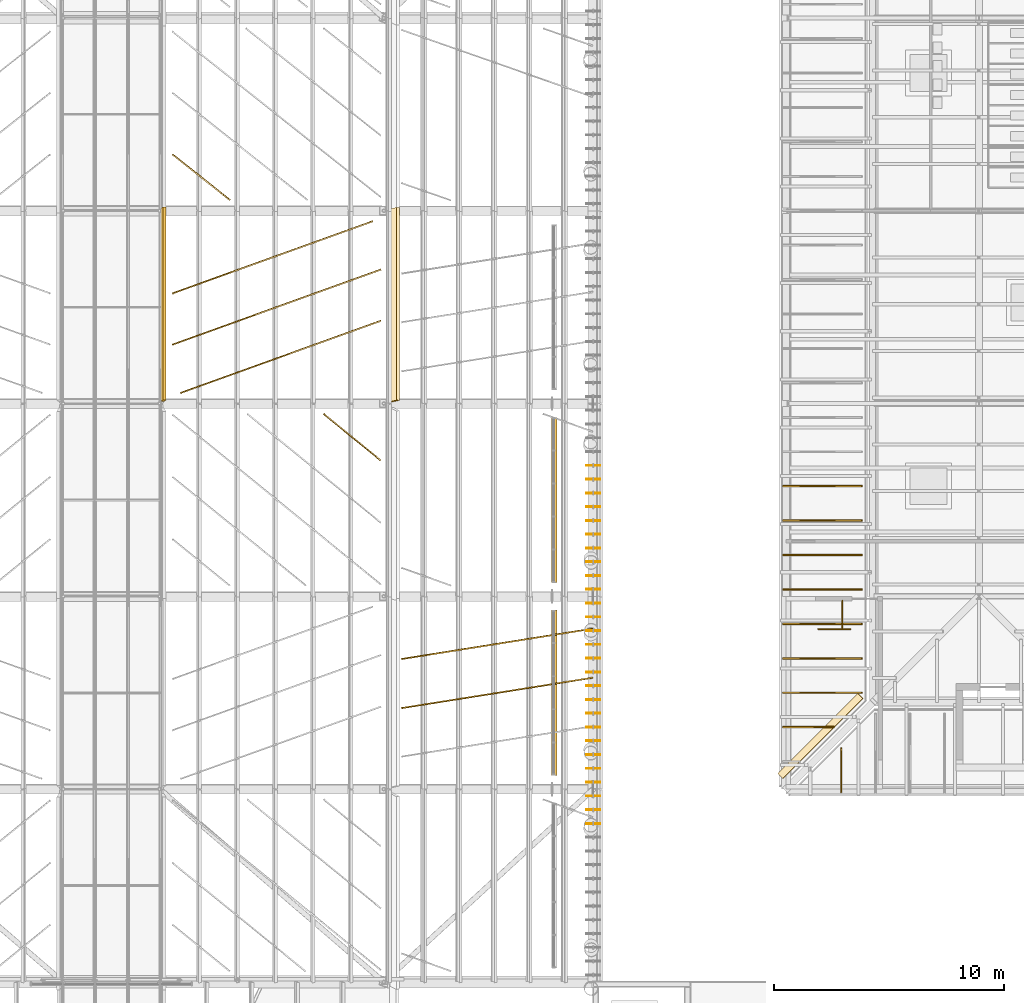
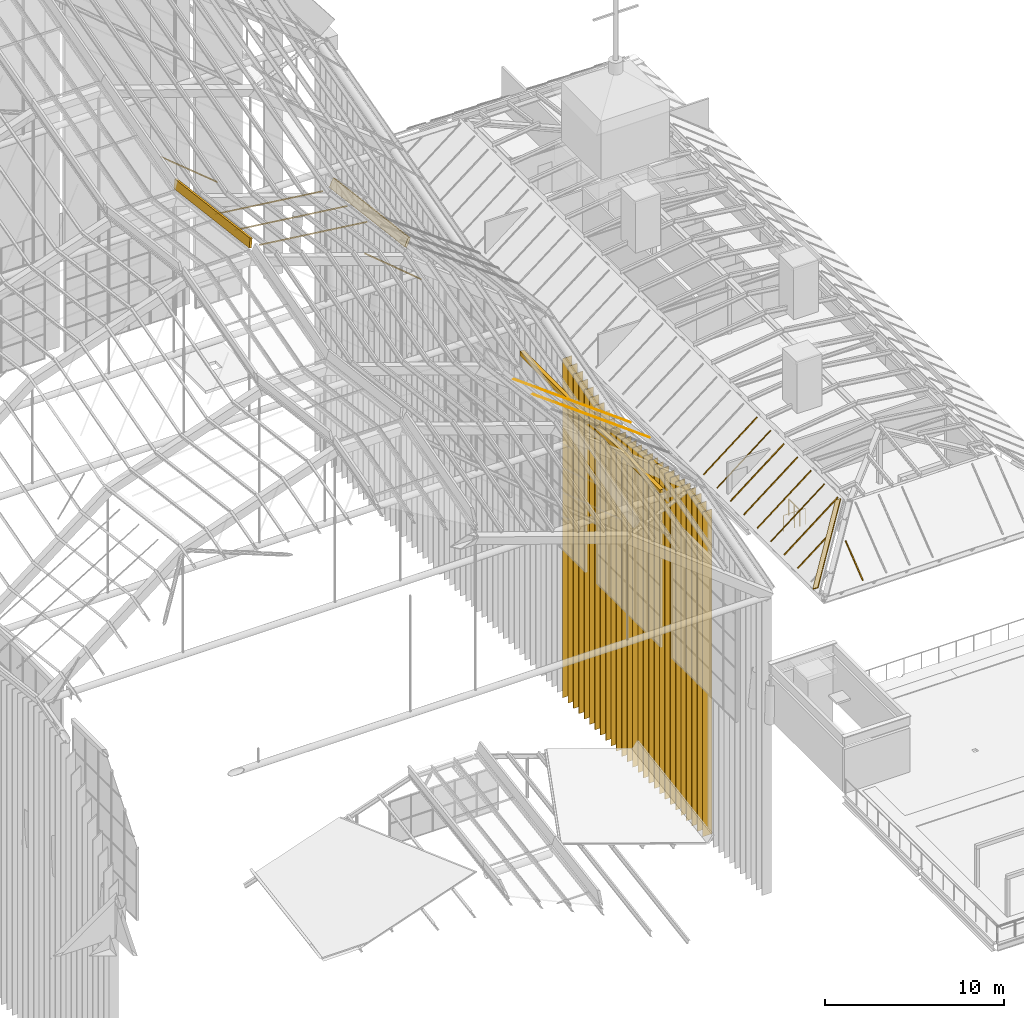
# One storey, part 106 of 126: 27 shading devices, 21 coverings, 2 railings.
"""IFC4 building model written with IfcOpenShell, lengths in metres."""

import ifcopenshell
import ifcopenshell.guid

model = None  # the IFC model being written
_history = None  # IfcOwnerHistory: only IFC2X3 demands one
_inside = {}  # id of a spatial element -> (the spatial element, [elements in it])
_under = {}  # id of a project, library or spatial element -> (it, [spatial elements below it])
_declared = {}  # id of a project -> (the project, [libraries it declares])
_typed = {}  # id of a type object -> (the type object, [elements of that type])
_made_of = {}  # id of a material, layer set ... -> (it, [elements and type objects made of it])


def new_model(schema):
    """Start an empty IFC model of exactly this schema.

    Asked for "IFC4X3", IfcOpenShell would pick the latest addendum, in which some entities
    have other attributes; the version numbers below select the first issue.
    IFC2X3 requires an IfcOwnerHistory on every rooted entity: one is made here for all.
    """
    global model, _history
    if schema == "IFC4X3":
        model = ifcopenshell.file(schema_version=(4, 3, 0, 0))
    else:
        model = ifcopenshell.file(schema=schema)
    _inside.clear()
    _under.clear()
    _declared.clear()
    _typed.clear()
    _made_of.clear()
    _history = None
    if model.schema == "IFC2X3":
        org = make("IfcOrganization", Name="unknown")
        user = make(
            "IfcPersonAndOrganization",
            ThePerson=make("IfcPerson", FamilyName="unknown"),
            TheOrganization=org,
        )
        app = make(
            "IfcApplication",
            ApplicationDeveloper=org,
            Version="unknown",
            ApplicationFullName="unknown",
            ApplicationIdentifier="unknown",
        )
        _history = make(
            "IfcOwnerHistory",
            OwningUser=user,
            OwningApplication=app,
            ChangeAction="ADDED",
            CreationDate=0,
        )
    return model


def make(cls, **values):
    """One entity of the class cls with the attributes given. An attribute that is None is left unset."""
    return model.create_entity(
        cls, **{name: value for name, value in values.items() if value is not None}
    )


def rooted(cls, **values):
    """An entity with a GlobalId (a new one), such as an element, a storey or a relation."""
    return make(cls, GlobalId=ifcopenshell.guid.new(), OwnerHistory=_history, **values)


def si_unit(unit_type, name, prefix=None):
    """IfcSIUnit, for example si_unit("LENGTHUNIT", "METRE", prefix="MILLI")."""
    return make("IfcSIUnit", UnitType=unit_type, Prefix=prefix, Name=name)


def assignment(units):
    """IfcUnitAssignment: the units of a project."""
    return None if units is None else make("IfcUnitAssignment", Units=units)


def point(xyz):
    """IfcCartesianPoint."""
    return None if xyz is None else make("IfcCartesianPoint", Coordinates=xyz)


def direction(xyz):
    """IfcDirection."""
    return None if xyz is None else make("IfcDirection", DirectionRatios=xyz)


def frame(location, z_axis=None, x_axis=None):
    """IfcAxis2Placement3D, a coordinate frame: its origin and axes. An axis left out is left unset."""
    return make(
        "IfcAxis2Placement3D",
        Location=point(location),
        Axis=direction(z_axis),
        RefDirection=direction(x_axis),
    )


def frame_2d(location, x_axis=None):
    """IfcAxis2Placement2D, a coordinate frame in the plane: its origin and x axis."""
    return make(
        "IfcAxis2Placement2D", Location=point(location), RefDirection=direction(x_axis)
    )


def origin():
    """The frame at (0, 0, 0) with its axes left unset."""
    return frame((0.0, 0.0, 0.0))


def origin_2d():
    """The frame at (0, 0) in the plane with its x axis left unset."""
    return frame_2d((0.0, 0.0))


def place(relative_to, where):
    """IfcLocalPlacement: puts the frame where relative to a parent placement (None: the world)."""
    return make(
        "IfcLocalPlacement", PlacementRelTo=relative_to, RelativePlacement=where
    )


def context(
    kind, dimensions, precision=None, world=None, true_north=None, identifier=None
):
    """IfcGeometricRepresentationContext, for example the 3D "Model" context."""
    return make(
        "IfcGeometricRepresentationContext",
        ContextIdentifier=identifier,
        ContextType=kind,
        CoordinateSpaceDimension=dimensions,
        Precision=precision,
        WorldCoordinateSystem=world,
        TrueNorth=true_north,
    )


def subcontext(parent, identifier, kind, view, scale=None):
    """IfcGeometricRepresentationSubContext, for example "Body" below "Model"."""
    return make(
        "IfcGeometricRepresentationSubContext",
        ContextIdentifier=identifier,
        ContextType=kind,
        ParentContext=parent,
        TargetScale=scale,
        TargetView=view,
    )


def project(units=None, contexts=None):
    """IfcProject with its units and contexts."""
    return rooted(
        "IfcProject",
        Name="project",
        RepresentationContexts=contexts,
        UnitsInContext=assignment(units),
    )


def spatial(cls, under=None, at=None, **own):
    """A site, building, storey or space (cls), placed at a placement, below another one or the project."""
    s = rooted(cls, ObjectPlacement=at, **own)
    if under is not None:
        _under.setdefault(under.id(), (under, []))[1].append(s)
    return s


def polyline(points):
    """IfcPolyline through the points."""
    return make("IfcPolyline", Points=[point(p) for p in points])


def profile(cls, at=None, kind="AREA", **sizes):
    """A parametric profile (cls). Its sizes go by their IFC names, for example OverallWidth=200.0."""
    return make(cls, ProfileType=kind, Position=at, **sizes)


def rectangle(**sizes):
    """IfcRectangleProfileDef."""
    return profile("IfcRectangleProfileDef", **sizes)


def circle(**sizes):
    """IfcCircleProfileDef."""
    return profile("IfcCircleProfileDef", **sizes)


def outline(outer, holes=None, kind="AREA"):
    """IfcArbitraryClosedProfileDef: a profile drawn as a closed curve; with holes, ...WithVoids."""
    if holes is None:
        return make("IfcArbitraryClosedProfileDef", ProfileType=kind, OuterCurve=outer)
    return make(
        "IfcArbitraryProfileDefWithVoids",
        ProfileType=kind,
        OuterCurve=outer,
        InnerCurves=holes,
    )


def extrude(swept, where, along, depth):
    """IfcExtrudedAreaSolid: the profile swept, set in the frame where, extruded along a direction by depth."""
    return make(
        "IfcExtrudedAreaSolid",
        SweptArea=swept,
        Position=where,
        ExtrudedDirection=direction(along),
        Depth=depth,
    )


def shape(context_of_items, identifier, shape_type, items):
    """IfcShapeRepresentation: the items that make up one representation, for example the "Body"."""
    return make(
        "IfcShapeRepresentation",
        ContextOfItems=context_of_items,
        RepresentationIdentifier=identifier,
        RepresentationType=shape_type,
        Items=items,
    )


def material(Name=None, Category=None):
    """IfcMaterial."""
    return make("IfcMaterial", Name=Name, Category=Category)


def layer(
    of_material, thickness, ventilated=None, Name=None, Category=None, Priority=None
):
    """IfcMaterialLayer: one layer of a wall or slab, of a material (None: an air gap)."""
    return make(
        "IfcMaterialLayer",
        Material=of_material,
        LayerThickness=thickness,
        IsVentilated=ventilated,
        Name=Name,
        Category=Category,
        Priority=Priority,
    )


def layer_set(layers, Name=None):
    """IfcMaterialLayerSet."""
    return make("IfcMaterialLayerSet", MaterialLayers=layers, LayerSetName=Name)


def material_profile(
    of_material, cross_section, Name=None, Category=None, Priority=None
):
    """IfcMaterialProfile: a cross section and its material."""
    return make(
        "IfcMaterialProfile",
        Name=Name,
        Material=of_material,
        Profile=cross_section,
        Priority=Priority,
        Category=Category,
    )


def profile_set(profiles, Name=None, composite=None):
    """IfcMaterialProfileSet."""
    return make(
        "IfcMaterialProfileSet",
        Name=Name,
        MaterialProfiles=profiles,
        CompositeProfile=composite,
    )


def made_of(thing, what):
    """Note that an element or type object is made of a material, layer set ...; save() writes the relation."""
    if what is not None:
        _made_of.setdefault(what.id(), (what, []))[1].append(thing)
    return thing


def type_object(cls, material=None, **own):
    """A type object (cls), such as IfcWallType, which elements share."""
    return made_of(rooted(cls, **own), material)


def element(
    cls,
    number,
    at=None,
    inside=None,
    cuts=None,
    type_object=None,
    material=None,
    context=None,
    identifier="Body",
    shape_type=None,
    held_by="IfcProductDefinitionShape",
    body=None,
    shapes=None,
    **own,
):
    """One element of the class cls, such as IfcWall. Its Tag is "e" and its number.

    at: its placement. inside: the storey or other place that contains it. cuts: it is an
    opening in that element (IfcRelVoidsElement). A single representation is given by context,
    identifier, shape_type and body (its items); several are given by shapes. held_by: the class
    of the entity that holds the representations. save() writes the other relations.
    """
    e = rooted(cls, Tag="e%d" % number, ObjectPlacement=at, **own)
    if body is not None:
        shapes = [shape(context, identifier, shape_type, body)]
    if shapes is not None:
        e.Representation = make(held_by, Representations=shapes)
    if inside is not None:
        _inside.setdefault(inside.id(), (inside, []))[1].append(e)
    if cuts is not None:
        rooted(
            "IfcRelVoidsElement", RelatingBuildingElement=cuts, RelatedOpeningElement=e
        )
    if type_object is not None:
        _typed.setdefault(type_object.id(), (type_object, []))[1].append(e)
    return made_of(e, material)


def aggregate(whole, parts):
    """IfcRelAggregates: a whole, such as a stair, and the parts it consists of."""
    return rooted("IfcRelAggregates", RelatingObject=whole, RelatedObjects=parts)


def save(model, path):
    """Write the relations noted so far, then the file.

    IfcRelAggregates (storeys below a building ...), IfcRelContainedInSpatialStructure (elements
    in a storey), IfcRelDefinesByType, IfcRelAssociatesMaterial and IfcRelDeclares: one each for
    every whole, place, type object, material and project.
    """
    for whole, parts in _under.values():
        aggregate(whole, parts)
    for where, things in _inside.values():
        rooted(
            "IfcRelContainedInSpatialStructure",
            RelatedElements=things,
            RelatingStructure=where,
        )
    for kind, things in _typed.values():
        rooted("IfcRelDefinesByType", RelatedObjects=things, RelatingType=kind)
    for what, things in _made_of.values():
        rooted("IfcRelAssociatesMaterial", RelatedObjects=things, RelatingMaterial=what)
    for by, libraries in _declared.values():
        rooted("IfcRelDeclares", RelatingContext=by, RelatedDefinitions=libraries)
    model.write(path)


model = new_model("IFC4")

# Units and contexts
model_context = context("Model", 3, precision=1e-05, world=origin(), true_north=direction((0.0, 1.0)))
body_context = subcontext(model_context, "Body", "Model", "MODEL_VIEW")
ifc_project = project(units=[si_unit("LENGTHUNIT", "METRE"), si_unit("AREAUNIT", "SQUARE_METRE"), si_unit("VOLUMEUNIT", "CUBIC_METRE"), si_unit("PLANEANGLEUNIT", "RADIAN"), si_unit("MASSUNIT", "GRAM", prefix="KILO")], contexts=[model_context])

# Site, building, storey
site_placement = place(None, origin())
site = spatial("IfcSite", under=ifc_project, at=site_placement, CompositionType="ELEMENT")
building_placement = place(site_placement, origin())
building = spatial("IfcBuilding", under=site, at=building_placement, Name="Sava Quay Ferry Terminal", CompositionType="ELEMENT")
storey_placement = place(building_placement, frame((0.0, 0.0, 15.0)))
storey = spatial("IfcBuildingStorey", under=building, at=storey_placement, Name="L03", CompositionType="ELEMENT", Elevation=15.0)

# Coverings
ifc_material_1 = material(Name="Copper patinated")
ifc_layer_1 = layer(ifc_material_1, 0.25)
ifc_layer_set_1 = layer_set([ifc_layer_1], Name="Copper patinated")
covering_type_1 = type_object("IfcCoveringType", Name="Copper spandrel panel 250", PredefinedType="CLADDING", material=ifc_layer_set_1)
covering_1_placement = place(storey_placement, frame((82.300048828125, 59.39990234375, 10.39990234375), z_axis=(0.0, 0.0, 1.0), x_axis=(0.0, 1.0, 0.0)))
element("IfcCovering", 1, at=covering_1_placement, inside=storey, type_object=covering_type_1, Name="Spandrel panel D-E", PredefinedType="CLADDING", context=body_context, shape_type="SweptSolid", body=[
    extrude(outline(polyline([(0.0, 0.0), (7.2001953125, 0.0), (7.199951171875, 0.337890625), (0.0, 0.337890625), (0.0, 0.0)])), frame((0.0, 0.125, 0.0), z_axis=(0.0, -1.0, 0.0), x_axis=(1.0, 0.0, 0.0)), (0.0, 0.0, 1.0), 0.25),
])
covering_2_placement = place(storey_placement, frame((82.300048828125, 67.800048828125, 10.39990234375), z_axis=(0.0, 0.0, 1.0), x_axis=(0.0, 1.0, 0.0)))
element("IfcCovering", 2, at=covering_2_placement, inside=storey, type_object=covering_type_1, Name="Spandrel panel D-E", PredefinedType="CLADDING", context=body_context, shape_type="SweptSolid", body=[
    extrude(outline(polyline([(0.0, 0.0), (7.199951171875, 0.0), (7.199951171875, 0.33056640625), (0.0, 0.33056640625), (0.0, 0.0)])), frame((0.0, 0.125, 0.0), z_axis=(0.0, -1.0, 0.0), x_axis=(1.0, 0.0, 0.0)), (0.0, 0.0, 1.0), 0.25),
])
ifc_material_2 = material(Name="Steel S355", Category="steel")
ifc_material_profile_1 = material_profile(ifc_material_2, rectangle(XDim=0.14990234375, YDim=0.60009765625, at=origin_2d()), Name="Cap 150 x 600")
ifc_profile_set_1 = profile_set([ifc_material_profile_1], Name="Steel S355")
covering_type_2 = type_object("IfcCoveringType", Name="Crease capping 150x600", PredefinedType="MOLDING", material=ifc_profile_set_1)
covering_3_placement = place(storey_placement, frame((65.266845703125, 75.7236328125, 23.564453125), z_axis=(0.0, 0.992393702798, -0.123104584187), x_axis=(-0.986478304019, 0.020175844507, 0.162645291964)))
element("IfcCovering", 3, at=covering_3_placement, inside=storey, type_object=covering_type_2, Name="Departure hall crease capping bay 4 crease 3", PredefinedType="MOLDING", context=body_context, shape_type="SweptSolid", body=[
    extrude(rectangle(XDim=0.14990234375, YDim=0.60009765625, at=origin_2d()), origin(), (0.0, 0.0, 1.0), 8.46435546875),
])
covering_4_placement = place(storey_placement, frame((75.352783203125, 75.710205078125, 20.093017578125), z_axis=(0.0, 0.992394139896, -0.123101060513), x_axis=(-0.880255099686, 0.058411545244, 0.470891761299)))
element("IfcCovering", 4, at=covering_4_placement, inside=storey, type_object=covering_type_2, Name="Departure hall crease capping bay 4 crease 4", PredefinedType="MOLDING", context=body_context, shape_type="SweptSolid", body=[
    extrude(rectangle(XDim=0.14990234375, YDim=0.60009765625, at=origin_2d()), origin(), (0.0, 0.0, 1.0), 8.464599609375),
])

# Railings
ifc_material_3 = material(Name="Steel S355", Category="steel")
railing_type = type_object("IfcRailingType", Name="Guard 1100", PredefinedType="GUARDRAIL", material=ifc_material_3)
railing_1_placement = place(storey_placement, frame((94.85009765625, 65.77001953125, 0.0)))
element("IfcRailing", 5, at=railing_1_placement, inside=storey, type_object=railing_type, Name="Guard at stair well ST-O1 L03", PredefinedType="GUARDRAIL", context=body_context, shape_type="SweptSolid", body=[
    extrude(circle(Radius=0.02392578125, at=origin_2d()), frame((0.0, 0.0, 1.076171875), z_axis=(0.0, 1.0, 0.0), x_axis=(-1.0, 0.0, 0.0)), (0.0, 0.0, 1.0), 1.22998046875),
    extrude(circle(Radius=0.02099609375, at=origin_2d()), origin(), (0.0, 0.0, 1.0), 1.052001953125),
    extrude(circle(Radius=0.02099609375, at=origin_2d()), frame((0.0, 0.614990234375, 0.0)), (0.0, 0.0, 1.0), 1.052001953125),
    extrude(circle(Radius=0.02099609375, at=origin_2d()), frame((0.0, 1.22998046875, 0.0)), (0.0, 0.0, 1.0), 1.052001953125),
])
railing_2_placement = place(storey_placement, frame((93.800048828125, 65.77001953125, 0.0)))
element("IfcRailing", 6, at=railing_2_placement, inside=storey, type_object=railing_type, Name="Guard at stair well ST-O1 L03", PredefinedType="GUARDRAIL", context=body_context, shape_type="SweptSolid", body=[
    extrude(circle(Radius=0.02392578125, at=origin_2d()), frame((0.0, 0.0, 1.076171875), z_axis=(1.0, 0.0, 0.0), x_axis=(0.0, 1.0, 0.0)), (0.0, 0.0, 1.0), 1.39990234375),
    extrude(circle(Radius=0.02099609375, at=origin_2d()), origin(), (0.0, 0.0, 1.0), 1.052001953125),
    extrude(circle(Radius=0.02099609375, at=origin_2d()), frame((0.699951171875, 0.0, 0.0)), (0.0, 0.0, 1.0), 1.052001953125),
    extrude(circle(Radius=0.02099609375, at=origin_2d()), frame((1.39990234375, 0.0, 0.0)), (0.0, 0.0, 1.0), 1.052001953125),
])

# Coverings
ifc_material_4 = material(Name="Zinc standing seam")
ifc_layer_2 = layer(ifc_material_4, 0.06005859375)
ifc_layer_set_2 = layer_set([ifc_layer_2], Name="Zinc standing seam")
covering_type_3 = type_object("IfcCoveringType", Name="Roof ridge roll 300", PredefinedType="ROOFING", material=ifc_layer_set_2)
covering_5_placement = place(storey_placement, frame((95.72998046875, 62.74853515625, 3.3984375), z_axis=(-0.617869275287, 0.000116627127, 0.786280830909), x_axis=(-0.618124406362, -0.618124404798, -0.485638176478)))
element("IfcCovering", 7, at=covering_5_placement, inside=storey, type_object=covering_type_3, Name="Hip roll", PredefinedType="ROOFING", context=body_context, shape_type="SweptSolid", body=[
    extrude(outline(polyline([(0.0, 0.0), (5.625953344513379, -4.440892098500626e-16), (5.706781652982323, -0.33376272181056765), (0.08097921774745892, -0.33357080767971015), (0.0, 0.0)])), origin(), (0.0, 0.0, -1.0), 0.06005859375),
])
ifc_material_5 = material(Name="Zinc standing seam")
ifc_layer_3 = layer(ifc_material_5, 0.0400390625)
ifc_layer_set_3 = layer_set([ifc_layer_3], Name="Zinc standing seam")
covering_type_4 = type_object("IfcCoveringType", Name="Roof seam rib 60", PredefinedType="ROOFING", material=ifc_layer_set_3)
covering_6_placement = place(storey_placement, frame((94.77001953125, 58.646484375, 0.635986328125), z_axis=(0.0, -0.617834697538, 0.786308009954), x_axis=(0.0, 0.786308009954, 0.617834697538)))
element("IfcCovering", 8, at=covering_6_placement, inside=storey, type_object=covering_type_4, Name="Roof seam rib", PredefinedType="ROOFING", context=body_context, shape_type="SweptSolid", body=[
    extrude(outline(polyline([(0.0, 0.0), (2.460631748158235, 0.0), (2.460631748158235, -0.06005859375), (0.0, -0.06005859375), (0.0, 0.0)])), origin(), (0.0, 0.0, -1.0), 0.0400390625),
])
covering_7_placement = place(storey_placement, frame((92.246337890625, 61.530029296875, 0.635986328125), z_axis=(-0.617810172057, 0.0, 0.78632728002), x_axis=(0.78632728002, 0.0, 0.617810172057)))
element("IfcCovering", 9, at=covering_7_placement, inside=storey, type_object=covering_type_4, Name="Roof seam rib", PredefinedType="ROOFING", context=body_context, shape_type="SweptSolid", body=[
    extrude(outline(polyline([(0.0, 0.0), (2.8424645547325995, 0.0), (2.8424645547325995, -0.06005859375), (0.0, -0.06005859375), (0.0, 0.0)])), origin(), (0.0, 0.0, -1.0), 0.0400390625),
])
for number, where, z_axis, x_axis, name in (
    (10, (92.246337890625, 63.030029296875, 0.635986328125), (-0.6177895076, 0.0, 0.786343515456), (0.786343515456, 0.0, 0.6177895076), "Roof seam rib"),
    (11, (92.246337890625, 64.530029296875, 0.635986328125), (-0.6177895076, 0.0, 0.786343515456), (0.786343515456, 0.0, 0.6177895076), "Roof seam rib"),
    (12, (92.246337890625, 66.030029296875, 0.635986328125), (-0.6177895076, 0.0, 0.786343515456), (0.786343515456, 0.0, 0.6177895076), "Roof seam rib"),
    (13, (92.246337890625, 67.530029296875, 0.635986328125), (-0.6177895076, 0.0, 0.786343515456), (0.786343515456, 0.0, 0.6177895076), "Roof seam rib"),
    (14, (92.246337890625, 69.030029296875, 0.635986328125), (-0.6177895076, 0.0, 0.786343515456), (0.786343515456, 0.0, 0.6177895076), "Roof seam rib"),
    (15, (92.246337890625, 70.530029296875, 0.635986328125), (-0.6177895076, 0.0, 0.786343515456), (0.786343515456, 0.0, 0.6177895076), "Roof seam rib"),
    (16, (92.246337890625, 72.030029296875, 0.635986328125), (-0.6177895076, 0.0, 0.786343515456), (0.786343515456, 0.0, 0.6177895076), "Roof seam rib"),
):
    element("IfcCovering", number, at=place(storey_placement, frame(where, z_axis=z_axis, x_axis=x_axis)), inside=storey, type_object=covering_type_4, Name=name, PredefinedType="ROOFING", context=body_context, shape_type="SweptSolid", body=[
        extrude(outline(polyline([(0.0, 0.0), (4.374293420136924, 0.0), (4.374293420136924, -0.06005859375), (0.0, -0.06005859375), (0.0, 0.0)])), origin(), (0.0, 0.0, -1.0), 0.0400390625),
    ])
covering_8_placement = place(storey_placement, frame((83.98193359375, 65.7568359375, 10.86376953125), z_axis=(0.612775414505, 0.097085816701, 0.784270766747), x_axis=(-0.774550534111, -0.123094106771, 0.620418657832)))
element("IfcCovering", 17, at=covering_8_placement, inside=storey, type_object=covering_type_4, Name="Roof seam rib", PredefinedType="ROOFING", context=body_context, shape_type="SweptSolid", body=[
    extrude(outline(polyline([(0.0, 0.0), (10.725982522270455, -6.028164079019405e-17), (10.72586559169207, -0.06004701914620953), (7.216867310742749e-05, -0.06008529379503568), (0.0, 0.0)])), origin(), (0.0, 0.0, -1.0), 0.0400390625),
])
covering_9_placement = place(storey_placement, frame((83.98193359375, 63.630615234375, 11.127685546875), z_axis=(0.612713252648, 0.097477108376, 0.78427079722), x_axis=(-0.774550534978, -0.123094104111, 0.620418657278)))
element("IfcCovering", 18, at=covering_9_placement, inside=storey, type_object=covering_type_4, Name="Roof seam rib", PredefinedType="ROOFING", context=body_context, shape_type="SweptSolid", body=[
    extrude(outline(polyline([(0.0, 0.0), (10.725982522270506, 1.9081958235744878e-17), (10.725895644129476, -0.059805872468455125), (0.00010222111067304581, -0.05984420638638923), (0.0, 0.0)])), origin(), (0.0, 0.0, -1.0), 0.0400390625),
])
covering_10_placement = place(storey_placement, frame((74.725341796875, 73.09912109375, 19.372802734375), z_axis=(0.314884504303, -0.256205239722, 0.913896396803), x_axis=(-0.708451551005, 0.577324088497, 0.405947406347)))
element("IfcCovering", 19, at=covering_10_placement, inside=storey, type_object=covering_type_4, Name="Roof seam rib", PredefinedType="ROOFING", context=body_context, shape_type="SweptSolid", body=[
    extrude(outline(polyline([(0.0, 0.0), (3.494720171963462, 2.0686577451023425e-16), (3.494832210659092, -0.060053518681101994), (-2.8909568163364152e-05, -0.05986424185795931), (0.0, 0.0)])), origin(), (0.0, 0.0, -1.0), 0.0400390625),
])
covering_11_placement = place(storey_placement, frame((74.410400390625, 83.51171875, 19.1796875), z_axis=(0.323447879804, 0.116217203566, 0.939082014866), x_axis=(-0.883503003361, -0.318272752001, 0.343693029296)))
element("IfcCovering", 20, at=covering_11_placement, inside=storey, type_object=covering_type_4, Name="Roof seam rib", PredefinedType="ROOFING", context=body_context, shape_type="SweptSolid", body=[
    extrude(outline(polyline([(0.0, 0.0), (9.873085159242624, -1.7683337433238577e-16), (9.873038709918072, -0.0599264356538713), (-4.6449324553082816e-05, -0.059926435653870944), (0.0, 0.0)])), origin(), (0.0, 0.0, -1.0), 0.0400390625),
])
covering_12_placement = place(storey_placement, frame((74.76220703125, 81.406494140625, 19.319580078125), z_axis=(0.323454258751, 0.116219495569, 0.939079534089), x_axis=(-0.883493889663, -0.318290736521, 0.343699802113)))
element("IfcCovering", 21, at=covering_12_placement, inside=storey, type_object=covering_type_4, Name="Roof seam rib", PredefinedType="ROOFING", context=body_context, shape_type="SweptSolid", body=[
    extrude(outline(polyline([(0.0, 0.0), (10.271386296409156, -4.550396517921662e-16), (10.271338648143955, -0.0599264347125721), (-4.7648265202704376e-05, -0.05992643471257162), (0.0, 0.0)])), origin(), (0.0, 0.0, -1.0), 0.0400390625),
])
covering_13_placement = place(storey_placement, frame((74.76220703125, 79.17431640625, 19.596435546875), z_axis=(0.323465862055, 0.116223664721, 0.939075021414), x_axis=(-0.883488541096, -0.318292269613, 0.343712130797)))
element("IfcCovering", 22, at=covering_13_placement, inside=storey, type_object=covering_type_4, Name="Roof seam rib", PredefinedType="ROOFING", context=body_context, shape_type="SweptSolid", body=[
    extrude(outline(polyline([(0.0, 0.0), (9.873246776696483, -2.3310346708438345e-17), (9.873198933588688, -0.05992643455733273), (-4.784310779710685e-05, -0.059926434557333055), (0.0, 0.0)])), origin(), (0.0, 0.0, -1.0), 0.0400390625),
])
covering_14_placement = place(storey_placement, frame((68.146484375, 84.4365234375, 21.416015625), z_axis=(0.31515429108, -0.250486267716, 0.915387569557), x_axis=(-0.716726159676, 0.569419019872, 0.402573709827)))
element("IfcCovering", 23, at=covering_14_placement, inside=storey, type_object=covering_type_4, Name="Roof seam rib", PredefinedType="ROOFING", context=body_context, shape_type="SweptSolid", body=[
    extrude(outline(polyline([(0.0, 0.0), (3.475492556952352, -3.3911133449915365e-16), (3.4755508500199452, -0.06012897978308696), (-8.072524780569981e-05, -0.05993782864796164), (0.0, 0.0)])), origin(), (0.0, 0.0, -1.0), 0.0400390625),
])

# Shading devices
ifc_material_6 = material(Name="Aluminium bronze anodised", Category="aluminium")
ifc_material_profile_2 = material_profile(ifc_material_6, rectangle(XDim=0.0400390625, YDim=0.60009765625, at=origin_2d()), Name="Vertical brise-soleil blade 40x600")
ifc_profile_set_2 = profile_set([ifc_material_profile_2], Name="Aluminium bronze anodised")
shading_device_type = type_object("IfcShadingDeviceType", Name="Vertical brise-soleil blade 40x600", PredefinedType="USERDEFINED", material=ifc_profile_set_2)
shading_device_1_placement = place(storey_placement, frame((84.0, 57.300048828125, -12.10009765625), z_axis=(0.0, 0.0, 1.0), x_axis=(0.0, 1.0, 0.0)))
element("IfcShadingDevice", 24, at=shading_device_1_placement, inside=storey, type_object=shading_device_type, Name="Brise-soleil blade D-E 12", ObjectType="BRISE-SOLEIL BLADE", PredefinedType="USERDEFINED", context=body_context, shape_type="SweptSolid", body=[
    extrude(rectangle(XDim=0.0400390625, YDim=0.60009765625, at=origin_2d()), origin(), (0.0, 0.0, 1.0), 22.087646484375),
])
shading_device_2_placement = place(storey_placement, frame((84.0, 57.89990234375, -12.10009765625), z_axis=(0.0, 0.0, 1.0), x_axis=(0.0, 1.0, 0.0)))
element("IfcShadingDevice", 25, at=shading_device_2_placement, inside=storey, type_object=shading_device_type, Name="Brise-soleil blade D-E 13", ObjectType="BRISE-SOLEIL BLADE", PredefinedType="USERDEFINED", context=body_context, shape_type="SweptSolid", body=[
    extrude(rectangle(XDim=0.0400390625, YDim=0.60009765625, at=origin_2d()), origin(), (0.0, 0.0, 1.0), 22.256103515625),
])
shading_device_3_placement = place(storey_placement, frame((84.0, 58.5, -12.10009765625), z_axis=(0.0, 0.0, 1.0), x_axis=(0.0, 1.0, 0.0)))
element("IfcShadingDevice", 26, at=shading_device_3_placement, inside=storey, type_object=shading_device_type, Name="Brise-soleil blade D-E 14", ObjectType="BRISE-SOLEIL BLADE", PredefinedType="USERDEFINED", context=body_context, shape_type="SweptSolid", body=[
    extrude(rectangle(XDim=0.0400390625, YDim=0.60009765625, at=origin_2d()), origin(), (0.0, 0.0, 1.0), 22.42431640625),
])
shading_device_4_placement = place(storey_placement, frame((84.0, 59.10009765625, -12.10009765625), z_axis=(0.0, 0.0, 1.0), x_axis=(0.0, 1.0, 0.0)))
element("IfcShadingDevice", 27, at=shading_device_4_placement, inside=storey, type_object=shading_device_type, Name="Brise-soleil blade D-E 15", ObjectType="BRISE-SOLEIL BLADE", PredefinedType="USERDEFINED", context=body_context, shape_type="SweptSolid", body=[
    extrude(rectangle(XDim=0.0400390625, YDim=0.60009765625, at=origin_2d()), origin(), (0.0, 0.0, 1.0), 22.471435546875),
])
shading_device_5_placement = place(storey_placement, frame((84.0, 59.699951171875, -12.10009765625), z_axis=(0.0, 0.0, 1.0), x_axis=(0.0, 1.0, 0.0)))
element("IfcShadingDevice", 28, at=shading_device_5_placement, inside=storey, type_object=shading_device_type, Name="Brise-soleil blade D-E 16", ObjectType="BRISE-SOLEIL BLADE", PredefinedType="USERDEFINED", context=body_context, shape_type="SweptSolid", body=[
    extrude(rectangle(XDim=0.0400390625, YDim=0.60009765625, at=origin_2d()), origin(), (0.0, 0.0, 1.0), 22.396728515625),
])
shading_device_6_placement = place(storey_placement, frame((84.0, 60.300048828125, -12.10009765625), z_axis=(0.0, 0.0, 1.0), x_axis=(0.0, 1.0, 0.0)))
element("IfcShadingDevice", 29, at=shading_device_6_placement, inside=storey, type_object=shading_device_type, Name="Brise-soleil blade D-E 17", ObjectType="BRISE-SOLEIL BLADE", PredefinedType="USERDEFINED", context=body_context, shape_type="SweptSolid", body=[
    extrude(rectangle(XDim=0.0400390625, YDim=0.60009765625, at=origin_2d()), origin(), (0.0, 0.0, 1.0), 22.322265625),
])
shading_device_7_placement = place(storey_placement, frame((84.0, 60.89990234375, -12.10009765625), z_axis=(0.0, 0.0, 1.0), x_axis=(0.0, 1.0, 0.0)))
element("IfcShadingDevice", 30, at=shading_device_7_placement, inside=storey, type_object=shading_device_type, Name="Brise-soleil blade D-E 18", ObjectType="BRISE-SOLEIL BLADE", PredefinedType="USERDEFINED", context=body_context, shape_type="SweptSolid", body=[
    extrude(rectangle(XDim=0.0400390625, YDim=0.60009765625, at=origin_2d()), origin(), (0.0, 0.0, 1.0), 22.247802734375),
])
shading_device_8_placement = place(storey_placement, frame((84.0, 61.5, -12.10009765625), z_axis=(0.0, 0.0, 1.0), x_axis=(0.0, 1.0, 0.0)))
element("IfcShadingDevice", 31, at=shading_device_8_placement, inside=storey, type_object=shading_device_type, Name="Brise-soleil blade D-E 19", ObjectType="BRISE-SOLEIL BLADE", PredefinedType="USERDEFINED", context=body_context, shape_type="SweptSolid", body=[
    extrude(rectangle(XDim=0.0400390625, YDim=0.60009765625, at=origin_2d()), origin(), (0.0, 0.0, 1.0), 22.17333984375),
])
shading_device_9_placement = place(storey_placement, frame((84.0, 62.10009765625, -12.10009765625), z_axis=(0.0, 0.0, 1.0), x_axis=(0.0, 1.0, 0.0)))
element("IfcShadingDevice", 32, at=shading_device_9_placement, inside=storey, type_object=shading_device_type, Name="Brise-soleil blade D-E 20", ObjectType="BRISE-SOLEIL BLADE", PredefinedType="USERDEFINED", context=body_context, shape_type="SweptSolid", body=[
    extrude(rectangle(XDim=0.0400390625, YDim=0.60009765625, at=origin_2d()), origin(), (0.0, 0.0, 1.0), 22.098876953125),
])
shading_device_10_placement = place(storey_placement, frame((84.0, 62.699951171875, -12.10009765625), z_axis=(0.0, 0.0, 1.0), x_axis=(0.0, 1.0, 0.0)))
element("IfcShadingDevice", 33, at=shading_device_10_placement, inside=storey, type_object=shading_device_type, Name="Brise-soleil blade D-E 21", ObjectType="BRISE-SOLEIL BLADE", PredefinedType="USERDEFINED", context=body_context, shape_type="SweptSolid", body=[
    extrude(rectangle(XDim=0.0400390625, YDim=0.60009765625, at=origin_2d()), origin(), (0.0, 0.0, 1.0), 22.0244140625),
])
shading_device_11_placement = place(storey_placement, frame((84.0, 63.300048828125, -12.10009765625), z_axis=(0.0, 0.0, 1.0), x_axis=(0.0, 1.0, 0.0)))
element("IfcShadingDevice", 34, at=shading_device_11_placement, inside=storey, type_object=shading_device_type, Name="Brise-soleil blade D-E 22", ObjectType="BRISE-SOLEIL BLADE", PredefinedType="USERDEFINED", context=body_context, shape_type="SweptSolid", body=[
    extrude(rectangle(XDim=0.0400390625, YDim=0.60009765625, at=origin_2d()), origin(), (0.0, 0.0, 1.0), 21.949951171875),
])
shading_device_12_placement = place(storey_placement, frame((84.0, 63.89990234375, -12.10009765625), z_axis=(0.0, 0.0, 1.0), x_axis=(0.0, 1.0, 0.0)))
element("IfcShadingDevice", 35, at=shading_device_12_placement, inside=storey, type_object=shading_device_type, Name="Brise-soleil blade D-E 23", ObjectType="BRISE-SOLEIL BLADE", PredefinedType="USERDEFINED", context=body_context, shape_type="SweptSolid", body=[
    extrude(rectangle(XDim=0.0400390625, YDim=0.60009765625, at=origin_2d()), origin(), (0.0, 0.0, 1.0), 21.875244140625),
])
shading_device_13_placement = place(storey_placement, frame((84.0, 64.5, -12.10009765625), z_axis=(0.0, 0.0, 1.0), x_axis=(0.0, 1.0, 0.0)))
element("IfcShadingDevice", 36, at=shading_device_13_placement, inside=storey, type_object=shading_device_type, Name="Brise-soleil blade D-E 24", ObjectType="BRISE-SOLEIL BLADE", PredefinedType="USERDEFINED", context=body_context, shape_type="SweptSolid", body=[
    extrude(rectangle(XDim=0.0400390625, YDim=0.60009765625, at=origin_2d()), origin(), (0.0, 0.0, 1.0), 21.80078125),
])
shading_device_14_placement = place(storey_placement, frame((84.0, 65.10009765625, -12.10009765625), z_axis=(0.0, 0.0, 1.0), x_axis=(0.0, 1.0, 0.0)))
element("IfcShadingDevice", 37, at=shading_device_14_placement, inside=storey, type_object=shading_device_type, Name="Brise-soleil blade D-E 25", ObjectType="BRISE-SOLEIL BLADE", PredefinedType="USERDEFINED", context=body_context, shape_type="SweptSolid", body=[
    extrude(rectangle(XDim=0.0400390625, YDim=0.60009765625, at=origin_2d()), origin(), (0.0, 0.0, 1.0), 21.726318359375),
])
shading_device_15_placement = place(storey_placement, frame((84.0, 65.699951171875, -12.10009765625), z_axis=(0.0, 0.0, 1.0), x_axis=(0.0, 1.0, 0.0)))
element("IfcShadingDevice", 38, at=shading_device_15_placement, inside=storey, type_object=shading_device_type, Name="Brise-soleil blade D-E 26", ObjectType="BRISE-SOLEIL BLADE", PredefinedType="USERDEFINED", context=body_context, shape_type="SweptSolid", body=[
    extrude(rectangle(XDim=0.0400390625, YDim=0.60009765625, at=origin_2d()), origin(), (0.0, 0.0, 1.0), 21.65185546875),
])
shading_device_16_placement = place(storey_placement, frame((84.0, 66.300048828125, -12.10009765625), z_axis=(0.0, 0.0, 1.0), x_axis=(0.0, 1.0, 0.0)))
element("IfcShadingDevice", 39, at=shading_device_16_placement, inside=storey, type_object=shading_device_type, Name="Brise-soleil blade D-E 27", ObjectType="BRISE-SOLEIL BLADE", PredefinedType="USERDEFINED", context=body_context, shape_type="SweptSolid", body=[
    extrude(rectangle(XDim=0.0400390625, YDim=0.60009765625, at=origin_2d()), origin(), (0.0, 0.0, 1.0), 21.577392578125),
])
shading_device_17_placement = place(storey_placement, frame((84.0, 66.89990234375, -12.10009765625), z_axis=(0.0, 0.0, 1.0), x_axis=(0.0, 1.0, 0.0)))
element("IfcShadingDevice", 40, at=shading_device_17_placement, inside=storey, type_object=shading_device_type, Name="Brise-soleil blade D-E 28", ObjectType="BRISE-SOLEIL BLADE", PredefinedType="USERDEFINED", context=body_context, shape_type="SweptSolid", body=[
    extrude(rectangle(XDim=0.0400390625, YDim=0.60009765625, at=origin_2d()), origin(), (0.0, 0.0, 1.0), 21.5029296875),
])
shading_device_18_placement = place(storey_placement, frame((84.0, 67.5, -12.10009765625), z_axis=(0.0, 0.0, 1.0), x_axis=(0.0, 1.0, 0.0)))
element("IfcShadingDevice", 41, at=shading_device_18_placement, inside=storey, type_object=shading_device_type, Name="Brise-soleil blade D-E 29", ObjectType="BRISE-SOLEIL BLADE", PredefinedType="USERDEFINED", context=body_context, shape_type="SweptSolid", body=[
    extrude(rectangle(XDim=0.0400390625, YDim=0.60009765625, at=origin_2d()), origin(), (0.0, 0.0, 1.0), 21.5498046875),
])
shading_device_19_placement = place(storey_placement, frame((84.0, 68.10009765625, -12.10009765625), z_axis=(0.0, 0.0, 1.0), x_axis=(0.0, 1.0, 0.0)))
element("IfcShadingDevice", 42, at=shading_device_19_placement, inside=storey, type_object=shading_device_type, Name="Brise-soleil blade D-E 30", ObjectType="BRISE-SOLEIL BLADE", PredefinedType="USERDEFINED", context=body_context, shape_type="SweptSolid", body=[
    extrude(rectangle(XDim=0.0400390625, YDim=0.60009765625, at=origin_2d()), origin(), (0.0, 0.0, 1.0), 21.718017578125),
])
shading_device_20_placement = place(storey_placement, frame((84.0, 68.699951171875, -12.10009765625), z_axis=(0.0, 0.0, 1.0), x_axis=(0.0, 1.0, 0.0)))
element("IfcShadingDevice", 43, at=shading_device_20_placement, inside=storey, type_object=shading_device_type, Name="Brise-soleil blade D-E 31", ObjectType="BRISE-SOLEIL BLADE", PredefinedType="USERDEFINED", context=body_context, shape_type="SweptSolid", body=[
    extrude(rectangle(XDim=0.0400390625, YDim=0.60009765625, at=origin_2d()), origin(), (0.0, 0.0, 1.0), 21.886474609375),
])
shading_device_21_placement = place(storey_placement, frame((84.0, 69.300048828125, -12.10009765625), z_axis=(0.0, 0.0, 1.0), x_axis=(0.0, 1.0, 0.0)))
element("IfcShadingDevice", 44, at=shading_device_21_placement, inside=storey, type_object=shading_device_type, Name="Brise-soleil blade D-E 32", ObjectType="BRISE-SOLEIL BLADE", PredefinedType="USERDEFINED", context=body_context, shape_type="SweptSolid", body=[
    extrude(rectangle(XDim=0.0400390625, YDim=0.60009765625, at=origin_2d()), origin(), (0.0, 0.0, 1.0), 22.054931640625),
])
shading_device_22_placement = place(storey_placement, frame((84.0, 69.89990234375, -12.10009765625), z_axis=(0.0, 0.0, 1.0), x_axis=(0.0, 1.0, 0.0)))
element("IfcShadingDevice", 45, at=shading_device_22_placement, inside=storey, type_object=shading_device_type, Name="Brise-soleil blade D-E 33", ObjectType="BRISE-SOLEIL BLADE", PredefinedType="USERDEFINED", context=body_context, shape_type="SweptSolid", body=[
    extrude(rectangle(XDim=0.0400390625, YDim=0.60009765625, at=origin_2d()), origin(), (0.0, 0.0, 1.0), 22.22314453125),
])
shading_device_23_placement = place(storey_placement, frame((84.0, 70.5, -12.10009765625), z_axis=(0.0, 0.0, 1.0), x_axis=(0.0, 1.0, 0.0)))
element("IfcShadingDevice", 46, at=shading_device_23_placement, inside=storey, type_object=shading_device_type, Name="Brise-soleil blade D-E 34", ObjectType="BRISE-SOLEIL BLADE", PredefinedType="USERDEFINED", context=body_context, shape_type="SweptSolid", body=[
    extrude(rectangle(XDim=0.0400390625, YDim=0.60009765625, at=origin_2d()), origin(), (0.0, 0.0, 1.0), 22.3916015625),
])
shading_device_24_placement = place(storey_placement, frame((84.0, 71.10009765625, -12.10009765625), z_axis=(0.0, 0.0, 1.0), x_axis=(0.0, 1.0, 0.0)))
element("IfcShadingDevice", 47, at=shading_device_24_placement, inside=storey, type_object=shading_device_type, Name="Brise-soleil blade D-E 35", ObjectType="BRISE-SOLEIL BLADE", PredefinedType="USERDEFINED", context=body_context, shape_type="SweptSolid", body=[
    extrude(rectangle(XDim=0.0400390625, YDim=0.60009765625, at=origin_2d()), origin(), (0.0, 0.0, 1.0), 22.559814453125),
])
shading_device_25_placement = place(storey_placement, frame((84.0, 71.699951171875, -12.10009765625), z_axis=(0.0, 0.0, 1.0), x_axis=(0.0, 1.0, 0.0)))
element("IfcShadingDevice", 48, at=shading_device_25_placement, inside=storey, type_object=shading_device_type, Name="Brise-soleil blade D-E 36", ObjectType="BRISE-SOLEIL BLADE", PredefinedType="USERDEFINED", context=body_context, shape_type="SweptSolid", body=[
    extrude(rectangle(XDim=0.0400390625, YDim=0.60009765625, at=origin_2d()), origin(), (0.0, 0.0, 1.0), 22.728271484375),
])
shading_device_26_placement = place(storey_placement, frame((84.0, 72.300048828125, -12.10009765625), z_axis=(0.0, 0.0, 1.0), x_axis=(0.0, 1.0, 0.0)))
element("IfcShadingDevice", 49, at=shading_device_26_placement, inside=storey, type_object=shading_device_type, Name="Brise-soleil blade D-E 37", ObjectType="BRISE-SOLEIL BLADE", PredefinedType="USERDEFINED", context=body_context, shape_type="SweptSolid", body=[
    extrude(rectangle(XDim=0.0400390625, YDim=0.60009765625, at=origin_2d()), origin(), (0.0, 0.0, 1.0), 22.896728515625),
])
shading_device_27_placement = place(storey_placement, frame((84.0, 72.89990234375, -12.10009765625), z_axis=(0.0, 0.0, 1.0), x_axis=(0.0, 1.0, 0.0)))
element("IfcShadingDevice", 50, at=shading_device_27_placement, inside=storey, type_object=shading_device_type, Name="Brise-soleil blade D-E 38", ObjectType="BRISE-SOLEIL BLADE", PredefinedType="USERDEFINED", context=body_context, shape_type="SweptSolid", body=[
    extrude(rectangle(XDim=0.0400390625, YDim=0.60009765625, at=origin_2d()), origin(), (0.0, 0.0, 1.0), 23.06494140625),
])

save(model, "model.ifc")
